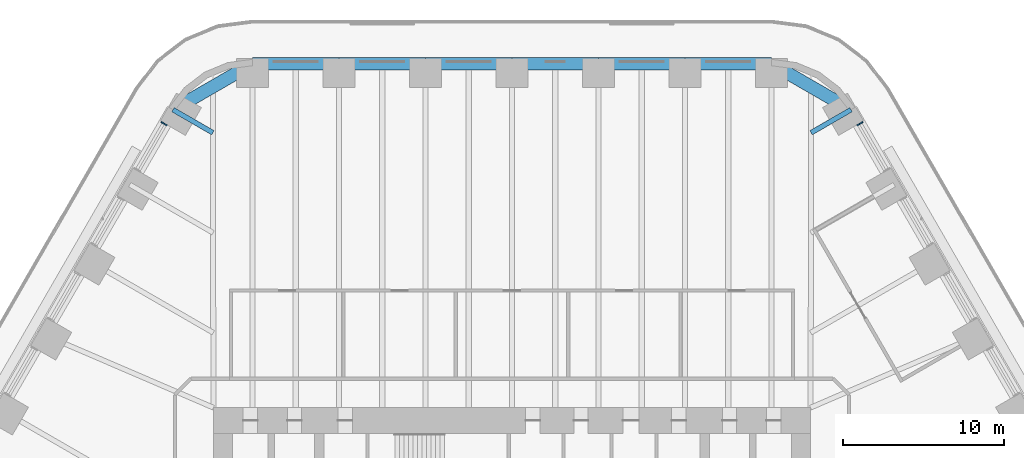
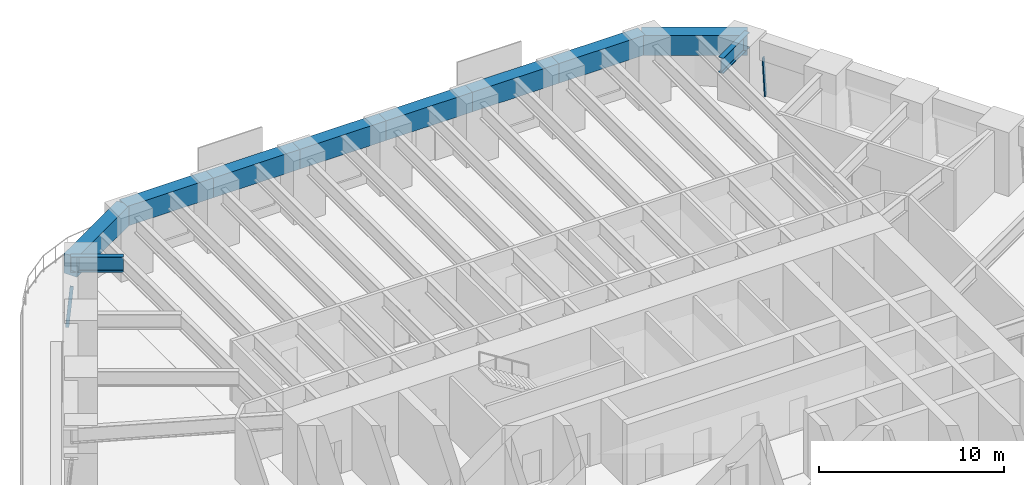
# One storey, part 14 of 23: 10 beams, 2 members, 2 elements without a shape of their own.
"""IFC4 building model written with IfcOpenShell, lengths in metres."""

from ifc_helpers import new_model, si_unit, direction, frame, origin, origin_2d, place, context, subcontext, project, spatial, rectangle, i_section, extrude, material, material_profile, profile_set, type_object, element, aggregate, save


model = new_model("IFC4")

# Units and contexts
model_context = context("Model", 3, precision=1e-05, world=origin(), true_north=direction((0.0, 1.0)))
body_context = subcontext(model_context, "Body", "Model", "MODEL_VIEW")
ifc_project = project(units=[si_unit("LENGTHUNIT", "METRE"), si_unit("AREAUNIT", "SQUARE_METRE"), si_unit("VOLUMEUNIT", "CUBIC_METRE"), si_unit("PLANEANGLEUNIT", "RADIAN"), si_unit("MASSUNIT", "GRAM", prefix="KILO")], contexts=[model_context])

# Site, building, storey
site_placement = place(None, origin())
site = spatial("IfcSite", under=ifc_project, at=site_placement, CompositionType="ELEMENT")
building_placement = place(site_placement, origin())
building = spatial("IfcBuilding", under=site, at=building_placement, Name="Tarfa Lantern Tower", CompositionType="ELEMENT")
storey_placement = place(building_placement, frame((0.0, 0.0, 57.10009765625)))
storey = spatial("IfcBuildingStorey", under=building, at=storey_placement, Name="L12", CompositionType="ELEMENT", Elevation=57.10009765625)

# Curtain wall, member
ifc_material_1 = material(Name="Aluminium framed curtain wall", Category="aluminium")
curtain_wall_type = type_object("IfcCurtainWallType", Name="CW1 CANTED GLAZING LOW ZONE 2700", PredefinedType="USERDEFINED", material=ifc_material_1)
curtain_wall_1_placement = place(storey_placement, origin())
curtain_wall_1 = element("IfcCurtainWall", 1, at=curtain_wall_1_placement, inside=storey, type_object=curtain_wall_type, Name="CW1 NE L12", ObjectType="CURTAIN WALL", PredefinedType="USERDEFINED")
ifc_material_2 = material(Name="Aluminium mullion", Category="aluminium")
ifc_material_profile_1 = material_profile(ifc_material_2, rectangle(XDim=0.06494140625, YDim=0.199951171875, at=origin_2d()), Name="AL MULLION 65x200")
ifc_profile_set_1 = profile_set([ifc_material_profile_1], Name="Aluminium mullion")
member_type = type_object("IfcMemberType", Name="CWM1 MULLION 65x200", PredefinedType="MULLION", material=ifc_profile_set_1)
member_1_placement = place(storey_placement, frame((21.79150390625, 30.055908203125, 0.0), z_axis=(-0.079774955866, -0.04610020023, 0.995746317068), x_axis=(0.500342721131, -0.865827443207, 0.0)))
member_1 = element("IfcMember", 2, at=member_1_placement, type_object=member_type, Name="CW1 mullion 2", PredefinedType="MULLION", context=body_context, shape_type="SweptSolid", body=[
    extrude(rectangle(XDim=0.06494140625, YDim=0.199951171875, at=origin_2d()), origin(), (0.0, 0.0, 1.0), 2.71142578125),
])
aggregate(curtain_wall_1, [member_1])

curtain_wall_2_placement = place(storey_placement, origin())
curtain_wall_2 = element("IfcCurtainWall", 3, at=curtain_wall_2_placement, inside=storey, type_object=curtain_wall_type, Name="CW1 NW L12", ObjectType="CURTAIN WALL", PredefinedType="USERDEFINED")
member_2_placement = place(storey_placement, frame((-21.79150390625, 30.055908203125, 0.0), z_axis=(0.079774955866, -0.04610020023, 0.995746317068), x_axis=(0.500342721131, 0.865827443207, 0.0)))
member_2 = element("IfcMember", 4, at=member_2_placement, type_object=member_type, Name="CW1 mullion 1", PredefinedType="MULLION", context=body_context, shape_type="SweptSolid", body=[
    extrude(rectangle(XDim=0.06494140625, YDim=0.199951171875, at=origin_2d()), origin(), (0.0, 0.0, 1.0), 2.71142578125),
])
aggregate(curtain_wall_2, [member_2])

# Beams
ifc_material_3 = material(Name="Concrete C80/95", Category="concrete")
ifc_material_profile_2 = material_profile(ifc_material_3, rectangle(XDim=0.800048828125, YDim=1.300048828125, at=origin_2d()), Name="RC 800x1300")
ifc_profile_set_2 = profile_set([ifc_material_profile_2], Name="Concrete C80/95")
beam_type_1 = type_object("IfcBeamType", Name="EB1 RC 800x1300", PredefinedType="SPANDREL", material=ifc_profile_set_2)
beam_1_placement = place(storey_placement, frame((21.119384765625, 30.860107421875, 3.349853515625), z_axis=(-0.866033479681, 0.499986011877, 0.0), x_axis=(-0.499986011877, -0.866033479681, 0.0)))
element("IfcBeam", 5, at=beam_1_placement, inside=storey, type_object=beam_type_1, Name="Edge beam NE6", PredefinedType="SPANDREL", context=body_context, shape_type="SweptSolid", body=[
    extrude(rectangle(XDim=0.800048828125, YDim=1.300048828125, at=origin_2d()), origin(), (0.0, 0.0, 1.0), 5.719970703125),
])
beam_2_placement = place(storey_placement, frame((16.165771484375, 33.719970703125, 3.349853515625), z_axis=(-1.0, 0.0, 0.0), x_axis=(0.0, -1.0, 0.0)))
element("IfcBeam", 6, at=beam_2_placement, inside=storey, type_object=beam_type_1, Name="Edge beam N0", PredefinedType="SPANDREL", context=body_context, shape_type="SweptSolid", body=[
    extrude(rectangle(XDim=0.800048828125, YDim=1.300048828125, at=origin_2d()), origin(), (0.0, 0.0, 1.0), 5.388671875),
])
beam_3_placement = place(storey_placement, frame((10.777099609375, 33.719970703125, 3.349853515625), z_axis=(-1.0, 0.0, 0.0), x_axis=(0.0, -1.0, 0.0)))
element("IfcBeam", 7, at=beam_3_placement, inside=storey, type_object=beam_type_1, Name="Edge beam N1", PredefinedType="SPANDREL", context=body_context, shape_type="SweptSolid", body=[
    extrude(rectangle(XDim=0.800048828125, YDim=1.300048828125, at=origin_2d()), origin(), (0.0, 0.0, 1.0), 5.388427734375),
])
for number, where, z_axis, x_axis, name in (
    (8, (5.388671875, 33.719970703125, 3.349853515625), (-1.0, 0.0, 0.0), (0.0, -1.0, 0.0), "Edge beam N2"),
    (9, (0.0, 33.719970703125, 3.349853515625), (-1.0, 0.0, 0.0), (0.0, -1.0, 0.0), "Edge beam N3"),
):
    element("IfcBeam", number, at=place(storey_placement, frame(where, z_axis=z_axis, x_axis=x_axis)), inside=storey, type_object=beam_type_1, Name=name, PredefinedType="SPANDREL", context=body_context, shape_type="SweptSolid", body=[
        extrude(rectangle(XDim=0.800048828125, YDim=1.300048828125, at=origin_2d()), origin(), (0.0, 0.0, 1.0), 5.388671875),
    ])
beam_4_placement = place(storey_placement, frame((-5.388671875, 33.719970703125, 3.349853515625), z_axis=(-1.0, 0.0, 0.0), x_axis=(0.0, -1.0, 0.0)))
element("IfcBeam", 10, at=beam_4_placement, inside=storey, type_object=beam_type_1, Name="Edge beam N4", PredefinedType="SPANDREL", context=body_context, shape_type="SweptSolid", body=[
    extrude(rectangle(XDim=0.800048828125, YDim=1.300048828125, at=origin_2d()), origin(), (0.0, 0.0, 1.0), 5.388427734375),
])
beam_5_placement = place(storey_placement, frame((-10.777099609375, 33.719970703125, 3.349853515625), z_axis=(-1.0, 0.0, 0.0), x_axis=(0.0, -1.0, 0.0)))
element("IfcBeam", 11, at=beam_5_placement, inside=storey, type_object=beam_type_1, Name="Edge beam N5", PredefinedType="SPANDREL", context=body_context, shape_type="SweptSolid", body=[
    extrude(rectangle(XDim=0.800048828125, YDim=1.300048828125, at=origin_2d()), origin(), (0.0, 0.0, 1.0), 5.388671875),
])
beam_6_placement = place(storey_placement, frame((-16.165771484375, 33.719970703125, 3.349853515625), z_axis=(-0.866033479681, -0.499986011877, 0.0), x_axis=(0.499986011877, -0.866033479681, 0.0)))
element("IfcBeam", 12, at=beam_6_placement, inside=storey, type_object=beam_type_1, Name="Edge beam N6", PredefinedType="SPANDREL", context=body_context, shape_type="SweptSolid", body=[
    extrude(rectangle(XDim=0.800048828125, YDim=1.300048828125, at=origin_2d()), origin(), (0.0, 0.0, 1.0), 5.719970703125),
])
ifc_material_4 = material(Name="Steel S460M", Category="steel")
ifc_material_profile_3 = material_profile(ifc_material_4, i_section(OverallWidth=0.302001953125, OverallDepth=1.008056640625, WebThickness=0.02099609375, FlangeThickness=0.0400390625, FilletRadius=0.030029296875, at=origin_2d()), Name="UB1016x305x349")
ifc_profile_set_3 = profile_set([ifc_material_profile_3], Name="Steel S460M")
beam_type_2 = type_object("IfcBeamType", Name="UB1016x305x349", PredefinedType="BEAM", material=ifc_profile_set_3)
for number, where, z_axis, x_axis, name in (
    (13, (21.119384765625, 30.860107421875, 3.495849609375), (-0.866012580594, -0.500022209759, 0.0), (0.500022209759, -0.866012580594, 0.0), "Floor beam NE6"),
    (14, (-21.119384765625, 30.860107421875, 3.495849609375), (0.866012580594, -0.500022209759, 0.0), (0.500022209759, 0.866012580594, 0.0), "Floor beam NW0"),
):
    element("IfcBeam", number, at=place(storey_placement, frame(where, z_axis=z_axis, x_axis=x_axis)), inside=storey, type_object=beam_type_2, Name=name, PredefinedType="BEAM", context=body_context, shape_type="SweptSolid", body=[
        extrude(i_section(OverallWidth=0.302001953125, OverallDepth=1.008056640625, WebThickness=0.02099609375, FlangeThickness=0.0400390625, FilletRadius=0.030029296875, at=origin_2d()), origin(), (0.0, 0.0, 1.0), 2.866943359375),
    ])

save(model, "model.ifc")
